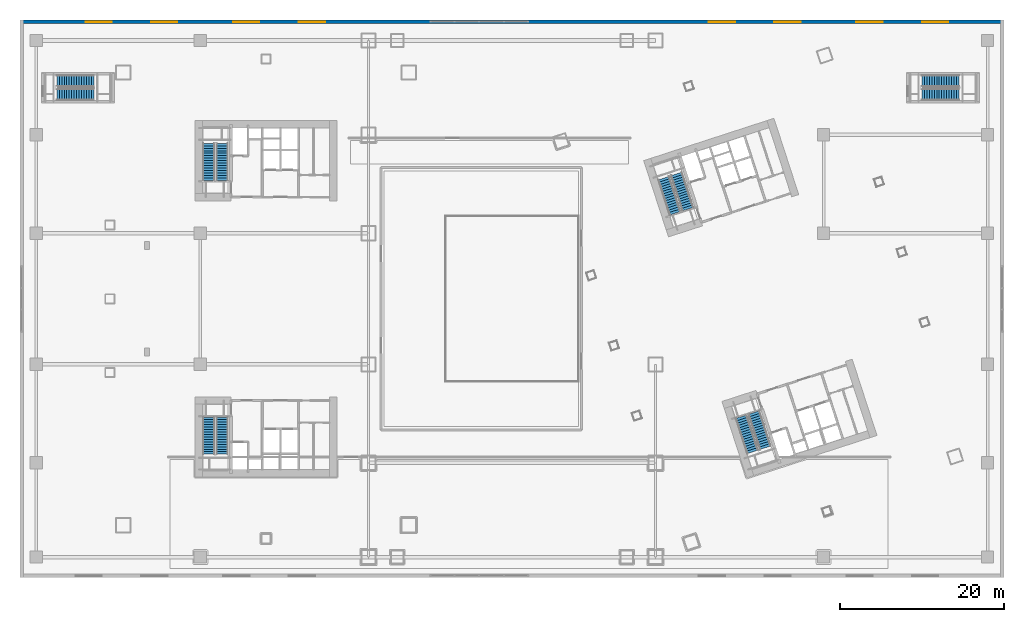
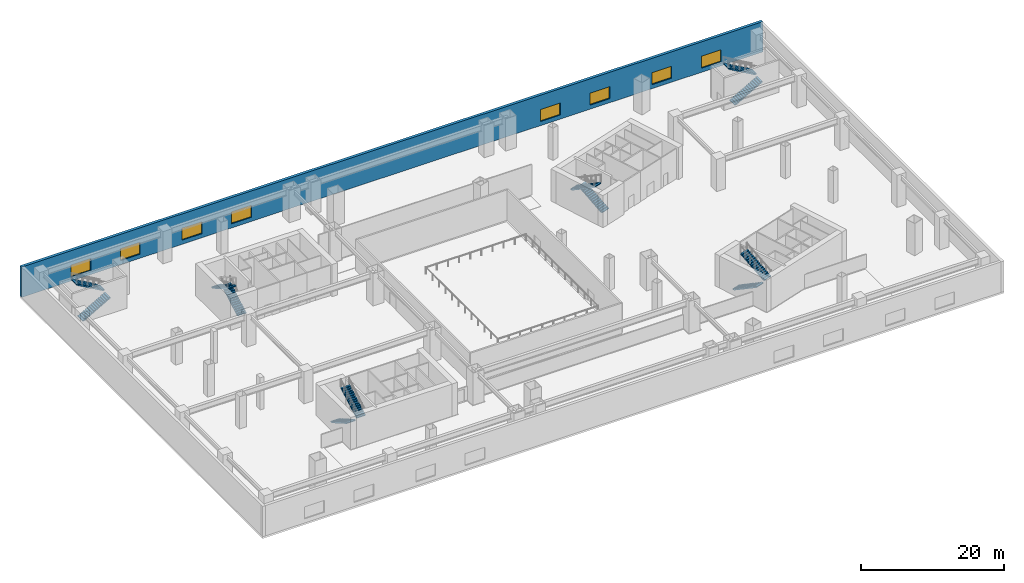
# One storey, part 29 of 35: 12 stair flights, 8 windows, 1 wall, 8 openings, 6 elements without a shape of their own.
"""IFC4 building model written with IfcOpenShell, lengths in metres."""

from ifc_helpers import new_model, si_unit, direction, frame, frame_2d, origin, place, context, subcontext, project, spatial, polyline, rectangle, outline, extrude, material, layer, layer_set, type_object, element, fill, aggregate, save


model = new_model("IFC4")

# Units and contexts
model_context = context("Model", 3, precision=1e-05, world=origin(), true_north=direction((0.0, 1.0)))
body_context = subcontext(model_context, "Body", "Model", "MODEL_VIEW")
ifc_project = project(units=[si_unit("LENGTHUNIT", "METRE"), si_unit("AREAUNIT", "SQUARE_METRE"), si_unit("VOLUMEUNIT", "CUBIC_METRE"), si_unit("PLANEANGLEUNIT", "RADIAN"), si_unit("MASSUNIT", "GRAM", prefix="KILO")], contexts=[model_context])

# Site, building, storey
site_placement = place(None, origin())
site = spatial("IfcSite", under=ifc_project, at=site_placement, CompositionType="ELEMENT")
building_placement = place(site_placement, origin())
building = spatial("IfcBuilding", under=site, at=building_placement, Name="Qiaolan Cultural Towers", CompositionType="ELEMENT")
storey_placement = place(building_placement, frame((0.0, 0.0, 6.0)))
storey = spatial("IfcBuildingStorey", under=building, at=storey_placement, Name="L01", CompositionType="ELEMENT", Elevation=6.0)

# Wall, openings, windows
ifc_material_1 = material(Name="Precast Concrete C50 Bush-Hammered Granite Pier", Category="masonry")
ifc_layer = layer(ifc_material_1, 0.449951171875)
ifc_layer_set = layer_set([ifc_layer], Name="Precast Concrete C50 Bush-Hammered Granite Pier")
wall_type = type_object("IfcWallType", Name="WL-EXT-POD-450", PredefinedType="SOLIDWALL", material=ifc_layer_set)
wall_placement = place(storey_placement, frame((0.0, 67.77490234375, 0.0), z_axis=(0.0, 0.0, 1.0), x_axis=(1.0, 0.0, 0.0)))
wall = element("IfcWall", 1, at=wall_placement, inside=storey, type_object=wall_type, Name="L01 Podium Precast Facade Wall NORTH", PredefinedType="SOLIDWALL", context=body_context, shape_type="SweptSolid", body=[
    extrude(rectangle(XDim=120.0, YDim=0.449951171875, at=frame_2d((60.0, 0.0))), origin(), (0.0, 0.0, 1.0), 5.199951171875),
])
opening_1_placement = place(wall_placement, frame((8.0, 0.0, 0.699951171875)))
opening_1 = element("IfcOpeningElement", 2, at=opening_1_placement, cuts=wall, Name="Opening W-04", PredefinedType="OPENING", context=body_context, shape_type="SweptSolid", body=[
    extrude(rectangle(XDim=3.199951171875, YDim=2.050048828125, at=frame_2d((1.60009765625, 1.02490234375))), frame((0.0, 0.23486328125, 0.0), z_axis=(0.0, -1.0, 0.0), x_axis=(1.0, 0.0, 0.0)), (0.0, 0.0, 1.0), 0.469970703125),
])
opening_2_placement = place(wall_placement, frame((16.0, 0.0, 0.699951171875)))
opening_2 = element("IfcOpeningElement", 3, at=opening_2_placement, cuts=wall, Name="Opening W-04", PredefinedType="OPENING", context=body_context, shape_type="SweptSolid", body=[
    extrude(rectangle(XDim=3.199951171875, YDim=2.050048828125, at=frame_2d((1.60009765625, 1.02490234375))), frame((0.0, 0.23486328125, 0.0), z_axis=(0.0, -1.0, 0.0), x_axis=(1.0, 0.0, 0.0)), (0.0, 0.0, 1.0), 0.469970703125),
])
opening_3_placement = place(wall_placement, frame((26.0, 0.0, 0.699951171875)))
opening_3 = element("IfcOpeningElement", 4, at=opening_3_placement, cuts=wall, Name="Opening W-04", PredefinedType="OPENING", context=body_context, shape_type="SweptSolid", body=[
    extrude(rectangle(XDim=3.199951171875, YDim=2.050048828125, at=frame_2d((1.60009765625, 1.02490234375))), frame((0.0, 0.23486328125, 0.0), z_axis=(0.0, -1.0, 0.0), x_axis=(1.0, 0.0, 0.0)), (0.0, 0.0, 1.0), 0.469970703125),
])
opening_4_placement = place(wall_placement, frame((34.0, 0.0, 0.699951171875)))
opening_4 = element("IfcOpeningElement", 5, at=opening_4_placement, cuts=wall, Name="Opening W-04", PredefinedType="OPENING", context=body_context, shape_type="SweptSolid", body=[
    extrude(rectangle(XDim=3.199951171875, YDim=2.050048828125, at=frame_2d((1.60009765625, 1.02490234375))), frame((0.0, 0.23486328125, 0.0), z_axis=(0.0, -1.0, 0.0), x_axis=(1.0, 0.0, 0.0)), (0.0, 0.0, 1.0), 0.469970703125),
])
opening_5_placement = place(wall_placement, frame((84.0, 0.0, 0.699951171875)))
opening_5 = element("IfcOpeningElement", 6, at=opening_5_placement, cuts=wall, Name="Opening W-04", PredefinedType="OPENING", context=body_context, shape_type="SweptSolid", body=[
    extrude(rectangle(XDim=3.199951171875, YDim=2.050048828125, at=frame_2d((1.60009765625, 1.02490234375))), frame((0.0, 0.23486328125, 0.0), z_axis=(0.0, -1.0, 0.0), x_axis=(1.0, 0.0, 0.0)), (0.0, 0.0, 1.0), 0.469970703125),
])
opening_6_placement = place(wall_placement, frame((92.0, 0.0, 0.699951171875)))
opening_6 = element("IfcOpeningElement", 7, at=opening_6_placement, cuts=wall, Name="Opening W-04", PredefinedType="OPENING", context=body_context, shape_type="SweptSolid", body=[
    extrude(rectangle(XDim=3.199951171875, YDim=2.050048828125, at=frame_2d((1.60009765625, 1.02490234375))), frame((0.0, 0.23486328125, 0.0), z_axis=(0.0, -1.0, 0.0), x_axis=(1.0, 0.0, 0.0)), (0.0, 0.0, 1.0), 0.469970703125),
])
opening_7_placement = place(wall_placement, frame((102.0, 0.0, 0.699951171875)))
opening_7 = element("IfcOpeningElement", 8, at=opening_7_placement, cuts=wall, Name="Opening W-04", PredefinedType="OPENING", context=body_context, shape_type="SweptSolid", body=[
    extrude(rectangle(XDim=3.199951171875, YDim=2.050048828125, at=frame_2d((1.60009765625, 1.02490234375))), frame((0.0, 0.23486328125, 0.0), z_axis=(0.0, -1.0, 0.0), x_axis=(1.0, 0.0, 0.0)), (0.0, 0.0, 1.0), 0.469970703125),
])
opening_8_placement = place(wall_placement, frame((110.0, 0.0, 0.699951171875)))
opening_8 = element("IfcOpeningElement", 9, at=opening_8_placement, cuts=wall, Name="Opening W-04", PredefinedType="OPENING", context=body_context, shape_type="SweptSolid", body=[
    extrude(rectangle(XDim=3.199951171875, YDim=2.050048828125, at=frame_2d((1.60009765625, 1.02490234375))), frame((0.0, 0.23486328125, 0.0), z_axis=(0.0, -1.0, 0.0), x_axis=(1.0, 0.0, 0.0)), (0.0, 0.0, 1.0), 0.469970703125),
])
ifc_material_2 = material(Name="Thermally Broken Aluminium Triple Low-E Glazing", Category="aluminium")
window_type = type_object("IfcWindowType", Name="WN-POD-3200", PartitioningType="SINGLE_PANEL", PredefinedType="WINDOW", material=ifc_material_2)
window_1_placement = place(opening_1_placement, origin())
window_1 = element("IfcWindow", 10, at=window_1_placement, inside=storey, type_object=window_type, Name="L01 Podium Chicago Window NORTH-01", OverallHeight=2.050048828125, OverallWidth=3.199951171875, PartitioningType="TRIPLE_PANEL_VERTICAL", PredefinedType="WINDOW", context=body_context, shape_type="SweptSolid", body=[
    extrude(rectangle(XDim=3.199951171875, YDim=2.050048828125, at=frame_2d((1.60009765625, 1.02490234375))), frame((0.0, 0.030029296875, 0.0), z_axis=(0.0, -1.0, 0.0), x_axis=(1.0, 0.0, 0.0)), (0.0, 0.0, 1.0), 0.06005859375),
])
fill(opening_1, window_1)
window_2_placement = place(opening_2_placement, origin())
window_2 = element("IfcWindow", 11, at=window_2_placement, inside=storey, type_object=window_type, Name="L01 Podium Chicago Window NORTH-02", OverallHeight=2.050048828125, OverallWidth=3.199951171875, PartitioningType="TRIPLE_PANEL_VERTICAL", PredefinedType="WINDOW", context=body_context, shape_type="SweptSolid", body=[
    extrude(rectangle(XDim=3.199951171875, YDim=2.050048828125, at=frame_2d((1.60009765625, 1.02490234375))), frame((0.0, 0.030029296875, 0.0), z_axis=(0.0, -1.0, 0.0), x_axis=(1.0, 0.0, 0.0)), (0.0, 0.0, 1.0), 0.06005859375),
])
fill(opening_2, window_2)
window_3_placement = place(opening_3_placement, origin())
window_3 = element("IfcWindow", 12, at=window_3_placement, inside=storey, type_object=window_type, Name="L01 Podium Chicago Window NORTH-03", OverallHeight=2.050048828125, OverallWidth=3.199951171875, PartitioningType="TRIPLE_PANEL_VERTICAL", PredefinedType="WINDOW", context=body_context, shape_type="SweptSolid", body=[
    extrude(rectangle(XDim=3.199951171875, YDim=2.050048828125, at=frame_2d((1.60009765625, 1.02490234375))), frame((0.0, 0.030029296875, 0.0), z_axis=(0.0, -1.0, 0.0), x_axis=(1.0, 0.0, 0.0)), (0.0, 0.0, 1.0), 0.06005859375),
])
fill(opening_3, window_3)
window_4_placement = place(opening_4_placement, origin())
window_4 = element("IfcWindow", 13, at=window_4_placement, inside=storey, type_object=window_type, Name="L01 Podium Chicago Window NORTH-04", OverallHeight=2.050048828125, OverallWidth=3.199951171875, PartitioningType="TRIPLE_PANEL_VERTICAL", PredefinedType="WINDOW", context=body_context, shape_type="SweptSolid", body=[
    extrude(rectangle(XDim=3.199951171875, YDim=2.050048828125, at=frame_2d((1.60009765625, 1.02490234375))), frame((0.0, 0.030029296875, 0.0), z_axis=(0.0, -1.0, 0.0), x_axis=(1.0, 0.0, 0.0)), (0.0, 0.0, 1.0), 0.06005859375),
])
fill(opening_4, window_4)
window_5_placement = place(opening_5_placement, origin())
window_5 = element("IfcWindow", 14, at=window_5_placement, inside=storey, type_object=window_type, Name="L01 Podium Chicago Window NORTH-05", OverallHeight=2.050048828125, OverallWidth=3.199951171875, PartitioningType="TRIPLE_PANEL_VERTICAL", PredefinedType="WINDOW", context=body_context, shape_type="SweptSolid", body=[
    extrude(rectangle(XDim=3.199951171875, YDim=2.050048828125, at=frame_2d((1.60009765625, 1.02490234375))), frame((0.0, 0.030029296875, 0.0), z_axis=(0.0, -1.0, 0.0), x_axis=(1.0, 0.0, 0.0)), (0.0, 0.0, 1.0), 0.06005859375),
])
fill(opening_5, window_5)
window_6_placement = place(opening_6_placement, origin())
window_6 = element("IfcWindow", 15, at=window_6_placement, inside=storey, type_object=window_type, Name="L01 Podium Chicago Window NORTH-06", OverallHeight=2.050048828125, OverallWidth=3.199951171875, PartitioningType="TRIPLE_PANEL_VERTICAL", PredefinedType="WINDOW", context=body_context, shape_type="SweptSolid", body=[
    extrude(rectangle(XDim=3.199951171875, YDim=2.050048828125, at=frame_2d((1.60009765625, 1.02490234375))), frame((0.0, 0.030029296875, 0.0), z_axis=(0.0, -1.0, 0.0), x_axis=(1.0, 0.0, 0.0)), (0.0, 0.0, 1.0), 0.06005859375),
])
fill(opening_6, window_6)
window_7_placement = place(opening_7_placement, origin())
window_7 = element("IfcWindow", 16, at=window_7_placement, inside=storey, type_object=window_type, Name="L01 Podium Chicago Window NORTH-07", OverallHeight=2.050048828125, OverallWidth=3.199951171875, PartitioningType="TRIPLE_PANEL_VERTICAL", PredefinedType="WINDOW", context=body_context, shape_type="SweptSolid", body=[
    extrude(rectangle(XDim=3.199951171875, YDim=2.050048828125, at=frame_2d((1.60009765625, 1.02490234375))), frame((0.0, 0.030029296875, 0.0), z_axis=(0.0, -1.0, 0.0), x_axis=(1.0, 0.0, 0.0)), (0.0, 0.0, 1.0), 0.06005859375),
])
fill(opening_7, window_7)
window_8_placement = place(opening_8_placement, origin())
window_8 = element("IfcWindow", 17, at=window_8_placement, inside=storey, type_object=window_type, Name="L01 Podium Chicago Window NORTH-08", OverallHeight=2.050048828125, OverallWidth=3.199951171875, PartitioningType="TRIPLE_PANEL_VERTICAL", PredefinedType="WINDOW", context=body_context, shape_type="SweptSolid", body=[
    extrude(rectangle(XDim=3.199951171875, YDim=2.050048828125, at=frame_2d((1.60009765625, 1.02490234375))), frame((0.0, 0.030029296875, 0.0), z_axis=(0.0, -1.0, 0.0), x_axis=(1.0, 0.0, 0.0)), (0.0, 0.0, 1.0), 0.06005859375),
])
fill(opening_8, window_8)

# Stair, stair flights
ifc_material_3 = material(Name="Concrete C45", Category="concrete")
stair_type_1 = type_object("IfcStairType", Name="STR-CORE-1500", PredefinedType="HALF_TURN_STAIR", material=ifc_material_3)
stair_1_placement = place(storey_placement, origin())
stair_1 = element("IfcStair", 18, at=stair_1_placement, inside=storey, type_object=stair_type_1, Name="L01 Smokeproof Exit Stair ST-W1", PredefinedType="HALF_TURN_STAIR")
ifc_material_4 = material(Name="Concrete C45", Category="concrete")
stair_flight_type_1 = type_object("IfcStairFlightType", Name="STR-CORE-1500-FL", PredefinedType="STRAIGHT", material=ifc_material_4)
stair_flight_1_placement = place(storey_placement, frame((23.02001953125, 19.550048828125, 0.0), z_axis=(0.0, 0.0, 1.0), x_axis=(0.0, -1.0, 0.0)))
stair_flight_1 = element("IfcStairFlight", 19, at=stair_flight_1_placement, type_object=stair_flight_type_1, Name="ST-W1 flight 1", NumberOfRisers=16, NumberOfTreads=15, PredefinedType="STRAIGHT", RiserHeight=0.171875, TreadLength=0.3, context=body_context, shape_type="SweptSolid", body=[
    extrude(outline(polyline([(0.0, 0.0), (0.0, 0.171875), (0.300048828125, 0.171875), (0.300048828125, 0.34375), (0.60009765625, 0.34375), (0.60009765625, 0.515625), (0.89990234375, 0.515625), (0.89990234375, 0.6875), (1.199951171875, 0.6875), (1.199951171875, 0.859375), (1.5, 0.859375), (1.5, 1.03125), (1.800048828125, 1.03125), (1.800048828125, 1.203125), (2.10009765625, 1.203125), (2.10009765625, 1.375), (2.39990234375, 1.375), (2.39990234375, 1.546875), (2.699951171875, 1.546875), (2.699951171875, 1.71875), (3.0, 1.71875), (3.0, 1.890625), (3.300048828125, 1.890625), (3.300048828125, 2.0625), (3.60009765625, 2.0625), (3.60009765625, 2.234375), (3.89990234375, 2.234375), (3.89990234375, 2.40625), (4.199951171875, 2.40625), (4.199951171875, 2.578125), (4.5, 2.578125), (4.5, 2.75), (4.5, 2.4052734375), (0.301513671875, 0.0), (0.0, 0.0)])), frame((0.0, 0.719970703125, 0.0), z_axis=(0.0, -1.0, 0.0), x_axis=(1.0, 0.0, 0.0)), (0.0, 0.0, 1.0), 1.43994140625),
])
stair_flight_2_placement = place(storey_placement, frame((24.659912109375, 15.050048828125, 2.75), z_axis=(0.0, 0.0, 1.0), x_axis=(0.0, 1.0, 0.0)))
stair_flight_2 = element("IfcStairFlight", 20, at=stair_flight_2_placement, type_object=stair_flight_type_1, Name="ST-W1 flight 2", NumberOfRisers=16, NumberOfTreads=15, PredefinedType="STRAIGHT", RiserHeight=0.171875, TreadLength=0.3, context=body_context, shape_type="SweptSolid", body=[
    extrude(outline(polyline([(0.0, 0.0), (0.0, 0.171875), (0.300048828125, 0.171875), (0.300048828125, 0.34375), (0.60009765625, 0.34375), (0.60009765625, 0.515625), (0.89990234375, 0.515625), (0.89990234375, 0.6875), (1.199951171875, 0.6875), (1.199951171875, 0.859375), (1.5, 0.859375), (1.5, 1.03125), (1.800048828125, 1.03125), (1.800048828125, 1.203125), (2.10009765625, 1.203125), (2.10009765625, 1.375), (2.39990234375, 1.375), (2.39990234375, 1.546875), (2.699951171875, 1.546875), (2.699951171875, 1.71875), (3.0, 1.71875), (3.0, 1.890625), (3.300048828125, 1.890625), (3.300048828125, 2.0625), (3.60009765625, 2.0625), (3.60009765625, 2.234375), (3.89990234375, 2.234375), (3.89990234375, 2.40625), (4.199951171875, 2.40625), (4.199951171875, 2.578125), (4.5, 2.578125), (4.5, 2.75), (4.5, 2.4052734375), (0.301513671875, 0.0), (0.0, 0.0)])), frame((0.0, 0.719970703125, 0.0), z_axis=(0.0, -1.0, 0.0), x_axis=(1.0, 0.0, 0.0)), (0.0, 0.0, 1.0), 1.43994140625),
])
aggregate(stair_1, [stair_flight_1, stair_flight_2])

stair_2_placement = place(storey_placement, origin())
stair_2 = element("IfcStair", 21, at=stair_2_placement, inside=storey, type_object=stair_type_1, Name="L01 Smokeproof Exit Stair ST-W2", PredefinedType="HALF_TURN_STAIR")
stair_flight_3_placement = place(storey_placement, frame((24.659912109375, 48.449951171875, 0.0), z_axis=(0.0, 0.0, 1.0), x_axis=(0.0, 1.0, 0.0)))
stair_flight_3 = element("IfcStairFlight", 22, at=stair_flight_3_placement, type_object=stair_flight_type_1, Name="ST-W2 flight 1", NumberOfRisers=16, NumberOfTreads=15, PredefinedType="STRAIGHT", RiserHeight=0.171875, TreadLength=0.3, context=body_context, shape_type="SweptSolid", body=[
    extrude(outline(polyline([(0.0, 0.0), (0.0, 0.171875), (0.300048828125, 0.171875), (0.300048828125, 0.34375), (0.60009765625, 0.34375), (0.60009765625, 0.515625), (0.89990234375, 0.515625), (0.89990234375, 0.6875), (1.199951171875, 0.6875), (1.199951171875, 0.859375), (1.5, 0.859375), (1.5, 1.03125), (1.800048828125, 1.03125), (1.800048828125, 1.203125), (2.10009765625, 1.203125), (2.10009765625, 1.375), (2.39990234375, 1.375), (2.39990234375, 1.546875), (2.699951171875, 1.546875), (2.699951171875, 1.71875), (3.0, 1.71875), (3.0, 1.890625), (3.300048828125, 1.890625), (3.300048828125, 2.0625), (3.60009765625, 2.0625), (3.60009765625, 2.234375), (3.89990234375, 2.234375), (3.89990234375, 2.40625), (4.199951171875, 2.40625), (4.199951171875, 2.578125), (4.5, 2.578125), (4.5, 2.75), (4.5, 2.4052734375), (0.301513671875, 0.0), (0.0, 0.0)])), frame((0.0, 0.719970703125, 0.0), z_axis=(0.0, -1.0, 0.0), x_axis=(1.0, 0.0, 0.0)), (0.0, 0.0, 1.0), 1.43994140625),
])
stair_flight_4_placement = place(storey_placement, frame((23.02001953125, 52.949951171875, 2.75), z_axis=(0.0, 0.0, 1.0), x_axis=(0.0, -1.0, 0.0)))
stair_flight_4 = element("IfcStairFlight", 23, at=stair_flight_4_placement, type_object=stair_flight_type_1, Name="ST-W2 flight 2", NumberOfRisers=16, NumberOfTreads=15, PredefinedType="STRAIGHT", RiserHeight=0.171875, TreadLength=0.3, context=body_context, shape_type="SweptSolid", body=[
    extrude(outline(polyline([(0.0, 0.0), (0.0, 0.171875), (0.300048828125, 0.171875), (0.300048828125, 0.34375), (0.60009765625, 0.34375), (0.60009765625, 0.515625), (0.89990234375, 0.515625), (0.89990234375, 0.6875), (1.199951171875, 0.6875), (1.199951171875, 0.859375), (1.5, 0.859375), (1.5, 1.03125), (1.800048828125, 1.03125), (1.800048828125, 1.203125), (2.10009765625, 1.203125), (2.10009765625, 1.375), (2.39990234375, 1.375), (2.39990234375, 1.546875), (2.699951171875, 1.546875), (2.699951171875, 1.71875), (3.0, 1.71875), (3.0, 1.890625), (3.300048828125, 1.890625), (3.300048828125, 2.0625), (3.60009765625, 2.0625), (3.60009765625, 2.234375), (3.89990234375, 2.234375), (3.89990234375, 2.40625), (4.199951171875, 2.40625), (4.199951171875, 2.578125), (4.5, 2.578125), (4.5, 2.75), (4.5, 2.4052734375), (0.301513671875, 0.0), (0.0, 0.0)])), frame((0.0, 0.719970703125, 0.0), z_axis=(0.0, -1.0, 0.0), x_axis=(1.0, 0.0, 0.0)), (0.0, 0.0, 1.0), 1.43994140625),
])
aggregate(stair_2, [stair_flight_3, stair_flight_4])

stair_3_placement = place(storey_placement, origin())
stair_3 = element("IfcStair", 24, at=stair_3_placement, inside=storey, type_object=stair_type_1, Name="L01 Smokeproof Exit Stair ST-E1", PredefinedType="HALF_TURN_STAIR")
stair_flight_5_placement = place(storey_placement, frame((87.96484375, 19.6171875, 0.0), z_axis=(0.0, 0.0, 1.0), x_axis=(0.309016994375, -0.951056516295, 0.0)))
stair_flight_5 = element("IfcStairFlight", 25, at=stair_flight_5_placement, type_object=stair_flight_type_1, Name="ST-E1 flight 1", NumberOfRisers=16, NumberOfTreads=15, PredefinedType="STRAIGHT", RiserHeight=0.171875, TreadLength=0.3, context=body_context, shape_type="SweptSolid", body=[
    extrude(outline(polyline([(0.0, 0.0), (0.0, 0.171875), (0.300048828125, 0.171875), (0.300048828125, 0.34375), (0.60009765625, 0.34375), (0.60009765625, 0.515625), (0.89990234375, 0.515625), (0.89990234375, 0.6875), (1.199951171875, 0.6875), (1.199951171875, 0.859375), (1.5, 0.859375), (1.5, 1.03125), (1.800048828125, 1.03125), (1.800048828125, 1.203125), (2.10009765625, 1.203125), (2.10009765625, 1.375), (2.39990234375, 1.375), (2.39990234375, 1.546875), (2.699951171875, 1.546875), (2.699951171875, 1.71875), (3.0, 1.71875), (3.0, 1.890625), (3.300048828125, 1.890625), (3.300048828125, 2.0625), (3.60009765625, 2.0625), (3.60009765625, 2.234375), (3.89990234375, 2.234375), (3.89990234375, 2.40625), (4.199951171875, 2.40625), (4.199951171875, 2.578125), (4.5, 2.578125), (4.5, 2.75), (4.5, 2.4052734375), (0.301513671875, 0.0), (0.0, 0.0)])), frame((0.0, 0.719970703125, 0.0), z_axis=(0.0, -1.0, 0.0), x_axis=(1.0, 0.0, 0.0)), (0.0, 0.0, 1.0), 1.43994140625),
])
stair_flight_6_placement = place(storey_placement, frame((90.915283203125, 15.84423828125, 2.75), z_axis=(0.0, 0.0, 1.0), x_axis=(-0.309016994375, 0.951056516295, 0.0)))
stair_flight_6 = element("IfcStairFlight", 26, at=stair_flight_6_placement, type_object=stair_flight_type_1, Name="ST-E1 flight 2", NumberOfRisers=16, NumberOfTreads=15, PredefinedType="STRAIGHT", RiserHeight=0.171875, TreadLength=0.3, context=body_context, shape_type="SweptSolid", body=[
    extrude(outline(polyline([(0.0, 0.0), (0.0, 0.171875), (0.300048828125, 0.171875), (0.300048828125, 0.34375), (0.60009765625, 0.34375), (0.60009765625, 0.515625), (0.89990234375, 0.515625), (0.89990234375, 0.6875), (1.199951171875, 0.6875), (1.199951171875, 0.859375), (1.5, 0.859375), (1.5, 1.03125), (1.800048828125, 1.03125), (1.800048828125, 1.203125), (2.10009765625, 1.203125), (2.10009765625, 1.375), (2.39990234375, 1.375), (2.39990234375, 1.546875), (2.699951171875, 1.546875), (2.699951171875, 1.71875), (3.0, 1.71875), (3.0, 1.890625), (3.300048828125, 1.890625), (3.300048828125, 2.0625), (3.60009765625, 2.0625), (3.60009765625, 2.234375), (3.89990234375, 2.234375), (3.89990234375, 2.40625), (4.199951171875, 2.40625), (4.199951171875, 2.578125), (4.5, 2.578125), (4.5, 2.75), (4.5, 2.4052734375), (0.301513671875, 0.0), (0.0, 0.0)])), frame((0.0, 0.719970703125, 0.0), z_axis=(0.0, -1.0, 0.0), x_axis=(1.0, 0.0, 0.0)), (0.0, 0.0, 1.0), 1.43994140625),
])
aggregate(stair_3, [stair_flight_5, stair_flight_6])

stair_4_placement = place(storey_placement, origin())
stair_4 = element("IfcStair", 27, at=stair_4_placement, inside=storey, type_object=stair_type_1, Name="L01 Smokeproof Exit Stair ST-E2", PredefinedType="HALF_TURN_STAIR")
stair_flight_7_placement = place(storey_placement, frame((81.459228515625, 44.946533203125, 0.0), z_axis=(0.0, 0.0, 1.0), x_axis=(-0.309016994375, 0.951056516295, 0.0)))
stair_flight_7 = element("IfcStairFlight", 28, at=stair_flight_7_placement, type_object=stair_flight_type_1, Name="ST-E2 flight 1", NumberOfRisers=16, NumberOfTreads=15, PredefinedType="STRAIGHT", RiserHeight=0.171875, TreadLength=0.3, context=body_context, shape_type="SweptSolid", body=[
    extrude(outline(polyline([(0.0, 0.0), (0.0, 0.171875), (0.300048828125, 0.171875), (0.300048828125, 0.34375), (0.60009765625, 0.34375), (0.60009765625, 0.515625), (0.89990234375, 0.515625), (0.89990234375, 0.6875), (1.199951171875, 0.6875), (1.199951171875, 0.859375), (1.5, 0.859375), (1.5, 1.03125), (1.800048828125, 1.03125), (1.800048828125, 1.203125), (2.10009765625, 1.203125), (2.10009765625, 1.375), (2.39990234375, 1.375), (2.39990234375, 1.546875), (2.699951171875, 1.546875), (2.699951171875, 1.71875), (3.0, 1.71875), (3.0, 1.890625), (3.300048828125, 1.890625), (3.300048828125, 2.0625), (3.60009765625, 2.0625), (3.60009765625, 2.234375), (3.89990234375, 2.234375), (3.89990234375, 2.40625), (4.199951171875, 2.40625), (4.199951171875, 2.578125), (4.5, 2.578125), (4.5, 2.75), (4.5, 2.4052734375), (0.301513671875, 0.0), (0.0, 0.0)])), frame((0.0, 0.719970703125, 0.0), z_axis=(0.0, -1.0, 0.0), x_axis=(1.0, 0.0, 0.0)), (0.0, 0.0, 1.0), 1.43994140625),
])
stair_flight_8_placement = place(storey_placement, frame((78.509033203125, 48.719482421875, 2.75), z_axis=(0.0, 0.0, 1.0), x_axis=(0.309016994375, -0.951056516295, 0.0)))
stair_flight_8 = element("IfcStairFlight", 29, at=stair_flight_8_placement, type_object=stair_flight_type_1, Name="ST-E2 flight 2", NumberOfRisers=16, NumberOfTreads=15, PredefinedType="STRAIGHT", RiserHeight=0.171875, TreadLength=0.3, context=body_context, shape_type="SweptSolid", body=[
    extrude(outline(polyline([(0.0, 0.0), (0.0, 0.171875), (0.300048828125, 0.171875), (0.300048828125, 0.34375), (0.60009765625, 0.34375), (0.60009765625, 0.515625), (0.89990234375, 0.515625), (0.89990234375, 0.6875), (1.199951171875, 0.6875), (1.199951171875, 0.859375), (1.5, 0.859375), (1.5, 1.03125), (1.800048828125, 1.03125), (1.800048828125, 1.203125), (2.10009765625, 1.203125), (2.10009765625, 1.375), (2.39990234375, 1.375), (2.39990234375, 1.546875), (2.699951171875, 1.546875), (2.699951171875, 1.71875), (3.0, 1.71875), (3.0, 1.890625), (3.300048828125, 1.890625), (3.300048828125, 2.0625), (3.60009765625, 2.0625), (3.60009765625, 2.234375), (3.89990234375, 2.234375), (3.89990234375, 2.40625), (4.199951171875, 2.40625), (4.199951171875, 2.578125), (4.5, 2.578125), (4.5, 2.75), (4.5, 2.4052734375), (0.301513671875, 0.0), (0.0, 0.0)])), frame((0.0, 0.719970703125, 0.0), z_axis=(0.0, -1.0, 0.0), x_axis=(1.0, 0.0, 0.0)), (0.0, 0.0, 1.0), 1.43994140625),
])
aggregate(stair_4, [stair_flight_7, stair_flight_8])

ifc_material_5 = material(Name="Concrete C45", Category="concrete")
stair_type_2 = type_object("IfcStairType", Name="STR-POD-1650", PredefinedType="HALF_TURN_STAIR", material=ifc_material_5)
stair_5_placement = place(storey_placement, origin())
stair_5 = element("IfcStair", 30, at=stair_5_placement, inside=storey, type_object=stair_type_2, Name="L01 Podium Northwest Exit Stair ST-P1", PredefinedType="HALF_TURN_STAIR")
ifc_material_6 = material(Name="Concrete C45", Category="concrete")
stair_flight_type_2 = type_object("IfcStairFlightType", Name="STR-POD-1650-FL", PredefinedType="STRAIGHT", material=ifc_material_6)
stair_flight_9_placement = place(storey_placement, frame((4.5, 58.925048828125, 0.0), z_axis=(0.0, 0.0, 1.0), x_axis=(1.0, 0.0, 0.0)))
stair_flight_9 = element("IfcStairFlight", 31, at=stair_flight_9_placement, type_object=stair_flight_type_2, Name="ST-P1 flight 1", NumberOfRisers=16, NumberOfTreads=15, PredefinedType="STRAIGHT", RiserHeight=0.171875, TreadLength=0.3, context=body_context, shape_type="SweptSolid", body=[
    extrude(outline(polyline([(0.0, 0.0), (0.0, 0.171875), (0.300048828125, 0.171875), (0.300048828125, 0.34375), (0.60009765625, 0.34375), (0.60009765625, 0.515625), (0.89990234375, 0.515625), (0.89990234375, 0.6875), (1.199951171875, 0.6875), (1.199951171875, 0.859375), (1.5, 0.859375), (1.5, 1.03125), (1.800048828125, 1.03125), (1.800048828125, 1.203125), (2.10009765625, 1.203125), (2.10009765625, 1.375), (2.39990234375, 1.375), (2.39990234375, 1.546875), (2.699951171875, 1.546875), (2.699951171875, 1.71875), (3.0, 1.71875), (3.0, 1.890625), (3.300048828125, 1.890625), (3.300048828125, 2.0625), (3.60009765625, 2.0625), (3.60009765625, 2.234375), (3.89990234375, 2.234375), (3.89990234375, 2.40625), (4.199951171875, 2.40625), (4.199951171875, 2.578125), (4.5, 2.578125), (4.5, 2.75), (4.5, 2.4052734375), (0.301513671875, 0.0), (0.0, 0.0)])), frame((0.0, 0.72509765625, 0.0), z_axis=(0.0, -1.0, 0.0), x_axis=(1.0, 0.0, 0.0)), (0.0, 0.0, 1.0), 1.449951171875),
])
stair_flight_10_placement = place(storey_placement, frame((9.0, 60.574951171875, 2.75), z_axis=(0.0, 0.0, 1.0), x_axis=(-1.0, 0.0, 0.0)))
stair_flight_10 = element("IfcStairFlight", 32, at=stair_flight_10_placement, type_object=stair_flight_type_2, Name="ST-P1 flight 2", NumberOfRisers=16, NumberOfTreads=15, PredefinedType="STRAIGHT", RiserHeight=0.171875, TreadLength=0.3, context=body_context, shape_type="SweptSolid", body=[
    extrude(outline(polyline([(0.0, 0.0), (0.0, 0.171875), (0.300048828125, 0.171875), (0.300048828125, 0.34375), (0.60009765625, 0.34375), (0.60009765625, 0.515625), (0.89990234375, 0.515625), (0.89990234375, 0.6875), (1.199951171875, 0.6875), (1.199951171875, 0.859375), (1.5, 0.859375), (1.5, 1.03125), (1.800048828125, 1.03125), (1.800048828125, 1.203125), (2.10009765625, 1.203125), (2.10009765625, 1.375), (2.39990234375, 1.375), (2.39990234375, 1.546875), (2.699951171875, 1.546875), (2.699951171875, 1.71875), (3.0, 1.71875), (3.0, 1.890625), (3.300048828125, 1.890625), (3.300048828125, 2.0625), (3.60009765625, 2.0625), (3.60009765625, 2.234375), (3.89990234375, 2.234375), (3.89990234375, 2.40625), (4.199951171875, 2.40625), (4.199951171875, 2.578125), (4.5, 2.578125), (4.5, 2.75), (4.5, 2.4052734375), (0.301513671875, 0.0), (0.0, 0.0)])), frame((0.0, 0.72509765625, 0.0), z_axis=(0.0, -1.0, 0.0), x_axis=(1.0, 0.0, 0.0)), (0.0, 0.0, 1.0), 1.449951171875),
])
aggregate(stair_5, [stair_flight_9, stair_flight_10])

stair_6_placement = place(storey_placement, origin())
stair_6 = element("IfcStair", 33, at=stair_6_placement, inside=storey, type_object=stair_type_2, Name="L01 Podium Northeast Exit Stair ST-P2", PredefinedType="HALF_TURN_STAIR")
stair_flight_11_placement = place(storey_placement, frame((110.0, 58.925048828125, 0.0), z_axis=(0.0, 0.0, 1.0), x_axis=(1.0, 0.0, 0.0)))
stair_flight_11 = element("IfcStairFlight", 34, at=stair_flight_11_placement, type_object=stair_flight_type_2, Name="ST-P2 flight 1", NumberOfRisers=16, NumberOfTreads=15, PredefinedType="STRAIGHT", RiserHeight=0.171875, TreadLength=0.3, context=body_context, shape_type="SweptSolid", body=[
    extrude(outline(polyline([(0.0, 0.0), (0.0, 0.171875), (0.300048828125, 0.171875), (0.300048828125, 0.34375), (0.60009765625, 0.34375), (0.60009765625, 0.515625), (0.89990234375, 0.515625), (0.89990234375, 0.6875), (1.199951171875, 0.6875), (1.199951171875, 0.859375), (1.5, 0.859375), (1.5, 1.03125), (1.800048828125, 1.03125), (1.800048828125, 1.203125), (2.10009765625, 1.203125), (2.10009765625, 1.375), (2.39990234375, 1.375), (2.39990234375, 1.546875), (2.699951171875, 1.546875), (2.699951171875, 1.71875), (3.0, 1.71875), (3.0, 1.890625), (3.300048828125, 1.890625), (3.300048828125, 2.0625), (3.60009765625, 2.0625), (3.60009765625, 2.234375), (3.89990234375, 2.234375), (3.89990234375, 2.40625), (4.199951171875, 2.40625), (4.199951171875, 2.578125), (4.5, 2.578125), (4.5, 2.75), (4.5, 2.4052734375), (0.301513671875, 0.0), (0.0, 0.0)])), frame((0.0, 0.72509765625, 0.0), z_axis=(0.0, -1.0, 0.0), x_axis=(1.0, 0.0, 0.0)), (0.0, 0.0, 1.0), 1.449951171875),
])
stair_flight_12_placement = place(storey_placement, frame((114.5, 60.574951171875, 2.75), z_axis=(0.0, 0.0, 1.0), x_axis=(-1.0, 0.0, 0.0)))
stair_flight_12 = element("IfcStairFlight", 35, at=stair_flight_12_placement, type_object=stair_flight_type_2, Name="ST-P2 flight 2", NumberOfRisers=16, NumberOfTreads=15, PredefinedType="STRAIGHT", RiserHeight=0.171875, TreadLength=0.3, context=body_context, shape_type="SweptSolid", body=[
    extrude(outline(polyline([(0.0, 0.0), (0.0, 0.171875), (0.300048828125, 0.171875), (0.300048828125, 0.34375), (0.60009765625, 0.34375), (0.60009765625, 0.515625), (0.89990234375, 0.515625), (0.89990234375, 0.6875), (1.199951171875, 0.6875), (1.199951171875, 0.859375), (1.5, 0.859375), (1.5, 1.03125), (1.800048828125, 1.03125), (1.800048828125, 1.203125), (2.10009765625, 1.203125), (2.10009765625, 1.375), (2.39990234375, 1.375), (2.39990234375, 1.546875), (2.699951171875, 1.546875), (2.699951171875, 1.71875), (3.0, 1.71875), (3.0, 1.890625), (3.300048828125, 1.890625), (3.300048828125, 2.0625), (3.60009765625, 2.0625), (3.60009765625, 2.234375), (3.89990234375, 2.234375), (3.89990234375, 2.40625), (4.199951171875, 2.40625), (4.199951171875, 2.578125), (4.5, 2.578125), (4.5, 2.75), (4.5, 2.4052734375), (0.301513671875, 0.0), (0.0, 0.0)])), frame((0.0, 0.72509765625, 0.0), z_axis=(0.0, -1.0, 0.0), x_axis=(1.0, 0.0, 0.0)), (0.0, 0.0, 1.0), 1.449951171875),
])
aggregate(stair_6, [stair_flight_11, stair_flight_12])

save(model, "model.ifc")
